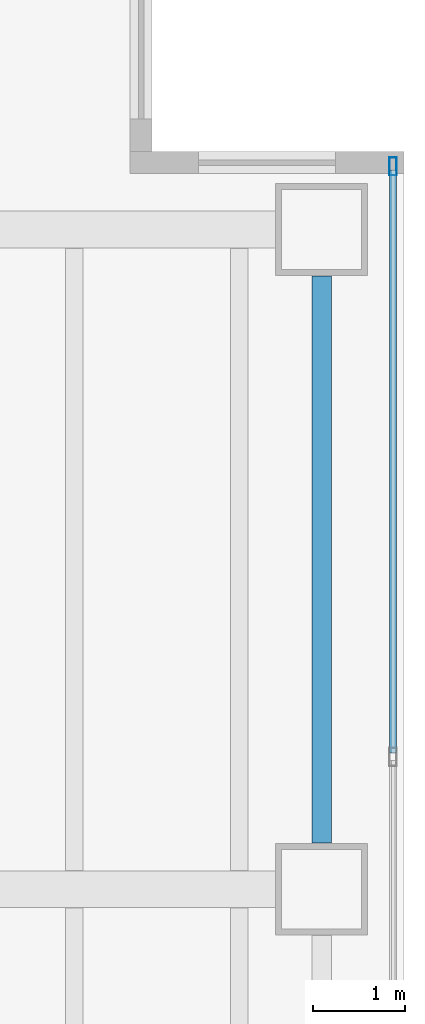
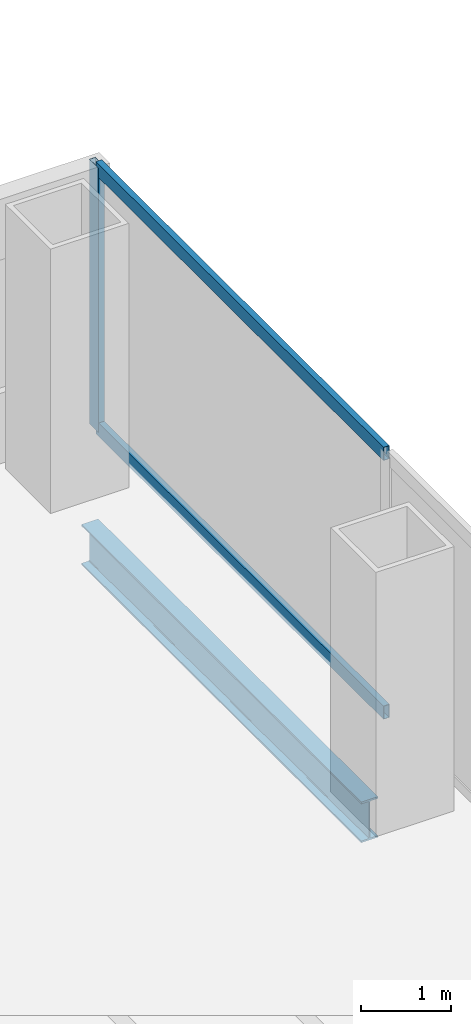
# One storey, part 13 of 23: 3 members, 1 beam, 1 element without a shape of its own.
"""IFC4 building model written with IfcOpenShell, lengths in metres."""

import ifcopenshell
import ifcopenshell.guid

model = None  # the IFC model being written
_history = None  # IfcOwnerHistory: only IFC2X3 demands one
_inside = {}  # id of a spatial element -> (the spatial element, [elements in it])
_under = {}  # id of a project, library or spatial element -> (it, [spatial elements below it])
_declared = {}  # id of a project -> (the project, [libraries it declares])
_typed = {}  # id of a type object -> (the type object, [elements of that type])
_made_of = {}  # id of a material, layer set ... -> (it, [elements and type objects made of it])


def new_model(schema):
    """Start an empty IFC model of exactly this schema.

    Asked for "IFC4X3", IfcOpenShell would pick the latest addendum, in which some entities
    have other attributes; the version numbers below select the first issue.
    IFC2X3 requires an IfcOwnerHistory on every rooted entity: one is made here for all.
    """
    global model, _history
    if schema == "IFC4X3":
        model = ifcopenshell.file(schema_version=(4, 3, 0, 0))
    else:
        model = ifcopenshell.file(schema=schema)
    _inside.clear()
    _under.clear()
    _declared.clear()
    _typed.clear()
    _made_of.clear()
    _history = None
    if model.schema == "IFC2X3":
        org = make("IfcOrganization", Name="unknown")
        user = make(
            "IfcPersonAndOrganization",
            ThePerson=make("IfcPerson", FamilyName="unknown"),
            TheOrganization=org,
        )
        app = make(
            "IfcApplication",
            ApplicationDeveloper=org,
            Version="unknown",
            ApplicationFullName="unknown",
            ApplicationIdentifier="unknown",
        )
        _history = make(
            "IfcOwnerHistory",
            OwningUser=user,
            OwningApplication=app,
            ChangeAction="ADDED",
            CreationDate=0,
        )
    return model


def make(cls, **values):
    """One entity of the class cls with the attributes given. An attribute that is None is left unset."""
    return model.create_entity(
        cls, **{name: value for name, value in values.items() if value is not None}
    )


def rooted(cls, **values):
    """An entity with a GlobalId (a new one), such as an element, a storey or a relation."""
    return make(cls, GlobalId=ifcopenshell.guid.new(), OwnerHistory=_history, **values)


def si_unit(unit_type, name, prefix=None):
    """IfcSIUnit, for example si_unit("LENGTHUNIT", "METRE", prefix="MILLI")."""
    return make("IfcSIUnit", UnitType=unit_type, Prefix=prefix, Name=name)


def assignment(units):
    """IfcUnitAssignment: the units of a project."""
    return None if units is None else make("IfcUnitAssignment", Units=units)


def point(xyz):
    """IfcCartesianPoint."""
    return None if xyz is None else make("IfcCartesianPoint", Coordinates=xyz)


def direction(xyz):
    """IfcDirection."""
    return None if xyz is None else make("IfcDirection", DirectionRatios=xyz)


def frame(location, z_axis=None, x_axis=None):
    """IfcAxis2Placement3D, a coordinate frame: its origin and axes. An axis left out is left unset."""
    return make(
        "IfcAxis2Placement3D",
        Location=point(location),
        Axis=direction(z_axis),
        RefDirection=direction(x_axis),
    )


def frame_2d(location, x_axis=None):
    """IfcAxis2Placement2D, a coordinate frame in the plane: its origin and x axis."""
    return make(
        "IfcAxis2Placement2D", Location=point(location), RefDirection=direction(x_axis)
    )


def origin():
    """The frame at (0, 0, 0) with its axes left unset."""
    return frame((0.0, 0.0, 0.0))


def origin_2d():
    """The frame at (0, 0) in the plane with its x axis left unset."""
    return frame_2d((0.0, 0.0))


def place(relative_to, where):
    """IfcLocalPlacement: puts the frame where relative to a parent placement (None: the world)."""
    return make(
        "IfcLocalPlacement", PlacementRelTo=relative_to, RelativePlacement=where
    )


def context(
    kind, dimensions, precision=None, world=None, true_north=None, identifier=None
):
    """IfcGeometricRepresentationContext, for example the 3D "Model" context."""
    return make(
        "IfcGeometricRepresentationContext",
        ContextIdentifier=identifier,
        ContextType=kind,
        CoordinateSpaceDimension=dimensions,
        Precision=precision,
        WorldCoordinateSystem=world,
        TrueNorth=true_north,
    )


def subcontext(parent, identifier, kind, view, scale=None):
    """IfcGeometricRepresentationSubContext, for example "Body" below "Model"."""
    return make(
        "IfcGeometricRepresentationSubContext",
        ContextIdentifier=identifier,
        ContextType=kind,
        ParentContext=parent,
        TargetScale=scale,
        TargetView=view,
    )


def project(units=None, contexts=None):
    """IfcProject with its units and contexts."""
    return rooted(
        "IfcProject",
        Name="project",
        RepresentationContexts=contexts,
        UnitsInContext=assignment(units),
    )


def spatial(cls, under=None, at=None, **own):
    """A site, building, storey or space (cls), placed at a placement, below another one or the project."""
    s = rooted(cls, ObjectPlacement=at, **own)
    if under is not None:
        _under.setdefault(under.id(), (under, []))[1].append(s)
    return s


def profile(cls, at=None, kind="AREA", **sizes):
    """A parametric profile (cls). Its sizes go by their IFC names, for example OverallWidth=200.0."""
    return make(cls, ProfileType=kind, Position=at, **sizes)


def hollow_rectangle(**sizes):
    """IfcRectangleHollowProfileDef."""
    return profile("IfcRectangleHollowProfileDef", **sizes)


def i_section(**sizes):
    """IfcIShapeProfileDef."""
    return profile("IfcIShapeProfileDef", **sizes)


def extrude(swept, where, along, depth):
    """IfcExtrudedAreaSolid: the profile swept, set in the frame where, extruded along a direction by depth."""
    return make(
        "IfcExtrudedAreaSolid",
        SweptArea=swept,
        Position=where,
        ExtrudedDirection=direction(along),
        Depth=depth,
    )


def shape(context_of_items, identifier, shape_type, items):
    """IfcShapeRepresentation: the items that make up one representation, for example the "Body"."""
    return make(
        "IfcShapeRepresentation",
        ContextOfItems=context_of_items,
        RepresentationIdentifier=identifier,
        RepresentationType=shape_type,
        Items=items,
    )


def material(Name=None, Category=None):
    """IfcMaterial."""
    return make("IfcMaterial", Name=Name, Category=Category)


def material_profile(
    of_material, cross_section, Name=None, Category=None, Priority=None
):
    """IfcMaterialProfile: a cross section and its material."""
    return make(
        "IfcMaterialProfile",
        Name=Name,
        Material=of_material,
        Profile=cross_section,
        Priority=Priority,
        Category=Category,
    )


def profile_set(profiles, Name=None, composite=None):
    """IfcMaterialProfileSet."""
    return make(
        "IfcMaterialProfileSet",
        Name=Name,
        MaterialProfiles=profiles,
        CompositeProfile=composite,
    )


def made_of(thing, what):
    """Note that an element or type object is made of a material, layer set ...; save() writes the relation."""
    if what is not None:
        _made_of.setdefault(what.id(), (what, []))[1].append(thing)
    return thing


def type_object(cls, material=None, **own):
    """A type object (cls), such as IfcWallType, which elements share."""
    return made_of(rooted(cls, **own), material)


def element(
    cls,
    number,
    at=None,
    inside=None,
    cuts=None,
    type_object=None,
    material=None,
    context=None,
    identifier="Body",
    shape_type=None,
    held_by="IfcProductDefinitionShape",
    body=None,
    shapes=None,
    **own,
):
    """One element of the class cls, such as IfcWall. Its Tag is "e" and its number.

    at: its placement. inside: the storey or other place that contains it. cuts: it is an
    opening in that element (IfcRelVoidsElement). A single representation is given by context,
    identifier, shape_type and body (its items); several are given by shapes. held_by: the class
    of the entity that holds the representations. save() writes the other relations.
    """
    e = rooted(cls, Tag="e%d" % number, ObjectPlacement=at, **own)
    if body is not None:
        shapes = [shape(context, identifier, shape_type, body)]
    if shapes is not None:
        e.Representation = make(held_by, Representations=shapes)
    if inside is not None:
        _inside.setdefault(inside.id(), (inside, []))[1].append(e)
    if cuts is not None:
        rooted(
            "IfcRelVoidsElement", RelatingBuildingElement=cuts, RelatedOpeningElement=e
        )
    if type_object is not None:
        _typed.setdefault(type_object.id(), (type_object, []))[1].append(e)
    return made_of(e, material)


def aggregate(whole, parts):
    """IfcRelAggregates: a whole, such as a stair, and the parts it consists of."""
    return rooted("IfcRelAggregates", RelatingObject=whole, RelatedObjects=parts)


def save(model, path):
    """Write the relations noted so far, then the file.

    IfcRelAggregates (storeys below a building ...), IfcRelContainedInSpatialStructure (elements
    in a storey), IfcRelDefinesByType, IfcRelAssociatesMaterial and IfcRelDeclares: one each for
    every whole, place, type object, material and project.
    """
    for whole, parts in _under.values():
        aggregate(whole, parts)
    for where, things in _inside.values():
        rooted(
            "IfcRelContainedInSpatialStructure",
            RelatedElements=things,
            RelatingStructure=where,
        )
    for kind, things in _typed.values():
        rooted("IfcRelDefinesByType", RelatedObjects=things, RelatingType=kind)
    for what, things in _made_of.values():
        rooted("IfcRelAssociatesMaterial", RelatedObjects=things, RelatingMaterial=what)
    for by, libraries in _declared.values():
        rooted("IfcRelDeclares", RelatingContext=by, RelatedDefinitions=libraries)
    model.write(path)


model = new_model("IFC4")

# Units and contexts
model_context = context("Model", 3, precision=1e-05, world=origin(), true_north=direction((0.0, 1.0)))
body_context = subcontext(model_context, "Body", "Model", "MODEL_VIEW")
ifc_project = project(units=[si_unit("LENGTHUNIT", "METRE"), si_unit("AREAUNIT", "SQUARE_METRE"), si_unit("VOLUMEUNIT", "CUBIC_METRE"), si_unit("PLANEANGLEUNIT", "RADIAN"), si_unit("MASSUNIT", "GRAM", prefix="KILO")], contexts=[model_context])

# Site, building, storey
site_placement = place(None, origin())
site = spatial("IfcSite", under=ifc_project, at=site_placement, CompositionType="ELEMENT")
building_placement = place(site_placement, origin())
building = spatial("IfcBuilding", under=site, at=building_placement, Name="Cobrela Telecom Tower", CompositionType="ELEMENT")
storey_placement = place(building_placement, frame((0.0, 0.0, 73.5)))
storey = spatial("IfcBuildingStorey", under=building, at=storey_placement, Name="L18", CompositionType="ELEMENT", Elevation=73.5)

# Beam
ifc_material_1 = material(Name="Steel ASTM A992 Grade 50", Category="steel")
ifc_material_profile_1 = material_profile(ifc_material_1, i_section(OverallWidth=0.212890625, OverallDepth=0.549072265625, WebThickness=0.0146484375, FlangeThickness=0.023681640625, FilletRadius=0.013916015625, at=origin_2d()), Name="W21X93")
ifc_profile_set_1 = profile_set([ifc_material_profile_1], Name="Steel ASTM A992 Grade 50")
beam_type = type_object("IfcBeamType", Name="BM-SPAND-03", PredefinedType="SPANDREL", material=ifc_profile_set_1)
beam_placement = place(storey_placement, frame((49.5, 14.905029296875, -0.554443359375), z_axis=(0.0, 1.0, 0.0), x_axis=(-1.0, 0.0, 0.0)))
element("IfcBeam", 1, at=beam_placement, inside=storey, type_object=beam_type, Name="L18 Perimeter Spandrel Y57", PredefinedType="SPANDREL", context=body_context, shape_type="SweptSolid", body=[
    extrude(i_section(OverallWidth=0.212890625, OverallDepth=0.549072265625, WebThickness=0.0146484375, FlangeThickness=0.023681640625, FilletRadius=0.013916015625, at=origin_2d()), origin(), (0.0, 0.0, 1.0), 6.18994140625),
])

# Curtain wall, members
ifc_material_2 = material(Name="Anodized Bronze Aluminium 6063-T6", Category="aluminium")
curtain_wall_type = type_object("IfcCurtainWallType", Name="CW-SYS-DATA", PredefinedType="USERDEFINED", material=ifc_material_2)
curtain_wall_placement = place(storey_placement, origin())
curtain_wall = element("IfcCurtainWall", 2, at=curtain_wall_placement, inside=storey, type_object=curtain_wall_type, Name="L18 Unitised Bronze Curtain Wall 14", ObjectType="UNITISED CURTAIN WALL", PredefinedType="USERDEFINED")
ifc_material_profile_2 = material_profile(ifc_material_2, hollow_rectangle(XDim=0.080078125, YDim=0.199951171875, WallThickness=0.00390625, at=origin_2d()), Name="ALU 80x200x4")
ifc_profile_set_2 = profile_set([ifc_material_profile_2], Name="Anodized Bronze Aluminium 6063-T6")
member_type_1 = type_object("IfcMemberType", Name="CW-SYS-DATA-MUL", PredefinedType="MULLION", material=ifc_profile_set_2)
member_1_placement = place(storey_placement, frame((50.280029296875, 22.2900390625, 0.0), z_axis=(0.0, 0.0, 1.0), x_axis=(1.0, 0.0, 0.0)))
member_1 = element("IfcMember", 3, at=member_1_placement, type_object=member_type_1, Name="CW-DATA mullion 1", PredefinedType="MULLION", context=body_context, shape_type="SweptSolid", body=[
    extrude(hollow_rectangle(XDim=0.080078125, YDim=0.199951171875, WallThickness=0.00390625, at=origin_2d()), origin(), (0.0, 0.0, 1.0), 3.570068359375),
])
ifc_material_profile_3 = material_profile(ifc_material_2, hollow_rectangle(XDim=0.074951171875, YDim=0.179931640625, WallThickness=0.00390625, at=origin_2d()), Name="ALU 75x180x4")
ifc_profile_set_3 = profile_set([ifc_material_profile_3], Name="Anodized Bronze Aluminium 6063-T6")
member_type_2 = type_object("IfcMemberType", Name="CW-SYS-DATA-TRN", PredefinedType="USERDEFINED", material=ifc_profile_set_3)
member_2_placement = place(storey_placement, frame((50.280029296875, 22.25, 0.03759765625), z_axis=(0.0, -1.0, 0.0), x_axis=(1.0, 0.0, 0.0)))
member_2 = element("IfcMember", 4, at=member_2_placement, type_object=member_type_2, Name="CW-DATA transom 1.1", ObjectType="TRANSOM", PredefinedType="USERDEFINED", context=body_context, shape_type="SweptSolid", body=[
    extrude(hollow_rectangle(XDim=0.074951171875, YDim=0.179931640625, WallThickness=0.00390625, at=origin_2d()), origin(), (0.0, 0.0, 1.0), 6.36669921875),
])
member_3_placement = place(storey_placement, frame((50.280029296875, 22.25, 3.532470703125), z_axis=(0.0, -1.0, 0.0), x_axis=(1.0, 0.0, 0.0)))
member_3 = element("IfcMember", 5, at=member_3_placement, type_object=member_type_2, Name="CW-DATA transom 1.2", ObjectType="TRANSOM", PredefinedType="USERDEFINED", context=body_context, shape_type="SweptSolid", body=[
    extrude(hollow_rectangle(XDim=0.074951171875, YDim=0.179931640625, WallThickness=0.00390625, at=origin_2d()), origin(), (0.0, 0.0, 1.0), 6.36669921875),
])
aggregate(curtain_wall, [member_1, member_2, member_3])

save(model, "model.ifc")
